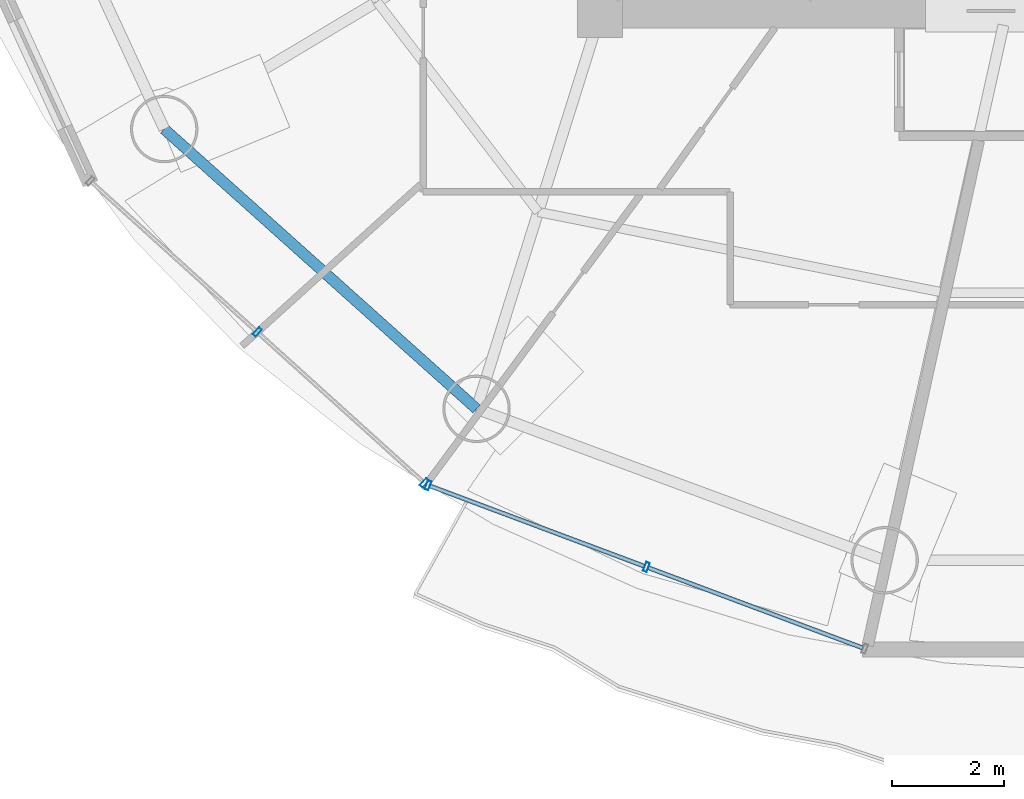
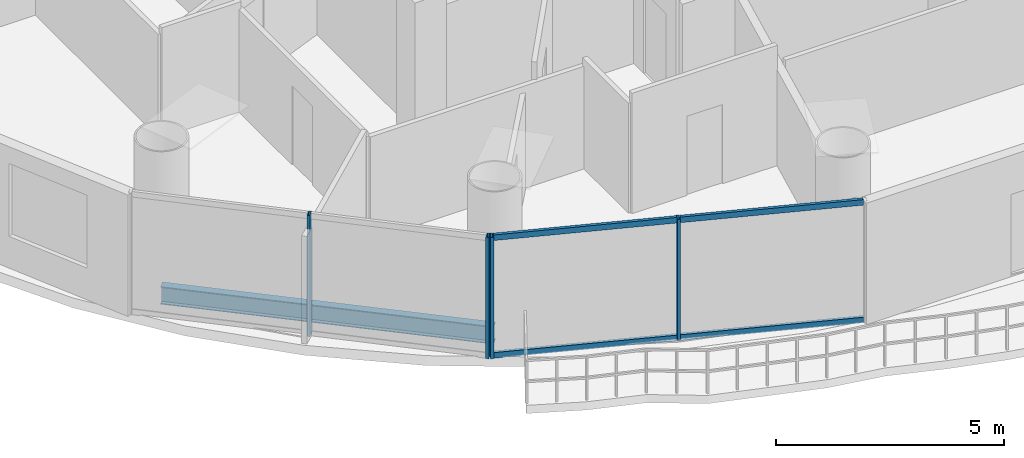
# One storey, part 2 of 26: 8 members, 1 beam, 2 elements without a shape of their own.
"""IFC4 building model written with IfcOpenShell, lengths in metres."""

from ifc_helpers import new_model, si_unit, direction, frame, origin, origin_2d, place, context, subcontext, project, spatial, hollow_rectangle, i_section, extrude, source, transform, mapped, material, material_profile, profile_set, type_object, element, aggregate, save


model = new_model("IFC4")

# Units and contexts
model_context = context("Model", 3, precision=1e-05, world=origin(), true_north=direction((-0.2419218956, 0.970295726276)))
body_context = subcontext(model_context, "Body", "Model", "MODEL_VIEW")
ifc_project = project(units=[si_unit("LENGTHUNIT", "METRE"), si_unit("AREAUNIT", "SQUARE_METRE"), si_unit("VOLUMEUNIT", "CUBIC_METRE"), si_unit("PLANEANGLEUNIT", "RADIAN"), si_unit("MASSUNIT", "GRAM", prefix="KILO")], contexts=[model_context])

# Site, building, storey
site_placement = place(None, origin())
site = spatial("IfcSite", under=ifc_project, at=site_placement, CompositionType="ELEMENT")
building_placement = place(site_placement, origin())
building = spatial("IfcBuilding", under=site, at=building_placement, Name="Cobrevalo Terracotta Tower", CompositionType="ELEMENT")
storey_placement = place(building_placement, frame((0.0, 0.0, 239.300048828125)))
storey = spatial("IfcBuildingStorey", under=building, at=storey_placement, Name="L63", CompositionType="ELEMENT", Elevation=239.300048828125)

# Beam
ifc_material_1 = material(Name="Steel S355", Category="steel")
ifc_material_profile_1 = material_profile(ifc_material_1, i_section(OverallWidth=0.194091796875, OverallDepth=0.468994140625, WebThickness=0.011474609375, FlangeThickness=0.0205078125, at=origin_2d()), Name="W 460x106")
ifc_profile_set_1 = profile_set([ifc_material_profile_1], Name="Steel S355")
beam_type = type_object("IfcBeamType", Name="Structural Spandrel W 460x106 (Steel S355)", PredefinedType="SPANDREL", material=ifc_profile_set_1)
beam_placement = place(storey_placement, frame((21.245849609375, 16.77197265625, -0.49951171875), z_axis=(0.744851930997, -0.667229796165, 0.0), x_axis=(0.667229796165, 0.744851930997, 0.0)))
element("IfcBeam", 1, at=beam_placement, inside=storey, type_object=beam_type, Name="L63 perimeter ring spandrel 10", PredefinedType="SPANDREL", context=body_context, shape_type="SweptSolid", body=[
    extrude(i_section(OverallWidth=0.194091796875, OverallDepth=0.468994140625, WebThickness=0.011474609375, FlangeThickness=0.0205078125, at=origin_2d()), origin(), (0.0, 0.0, 1.0), 7.463623046875),
])

# Curtain wall, members
ifc_material_2 = material(Name="Anodized aluminium", Category="aluminium")
curtain_wall_type = type_object("IfcCurtainWallType", Name="Mid-tower high-wind unitised curtain wall CW-U2", PredefinedType="NOTDEFINED", material=ifc_material_2)
curtain_wall_1_placement = place(storey_placement, origin())
curtain_wall_1 = element("IfcCurtainWall", 2, at=curtain_wall_1_placement, inside=storey, type_object=curtain_wall_type, Name="L63 curtain wall CW-L63-S11", PredefinedType="NOTDEFINED")
ifc_material_profile_2 = material_profile(ifc_material_2, hollow_rectangle(XDim=0.074951171875, YDim=0.14990234375, WallThickness=0.00439453125, at=origin_2d()), Name="CWT 75x150")
ifc_profile_set_2 = profile_set([ifc_material_profile_2], Name="Anodized aluminium")
member_type_1 = type_object("IfcMemberType", Name="Tower unitised aluminium transom 75x150", PredefinedType="USERDEFINED", material=ifc_profile_set_2)
shared_shape_1 = source(origin(), body_context, "Body", "SweptSolid", [
    extrude(hollow_rectangle(XDim=0.074951171875, YDim=0.14990234375, WallThickness=0.00439453125, at=origin_2d()), origin(), (0.0, 0.0, 1.0), 4.069580078125),
])
member_1_placement = place(storey_placement, frame((25.980224609375, 10.4169921875, 0.050048828125), z_axis=(0.936548420649, -0.350538237259, 0.0), x_axis=(0.350538237259, 0.936548420649, 0.0)))
member_1 = element("IfcMember", 3, at=member_1_placement, type_object=member_type_1, Name="CW-L63-S11 transom B01-T1", ObjectType="TRANSOM", PredefinedType="USERDEFINED", context=body_context, shape_type="MappedRepresentation", body=[
    mapped(shared_shape_1, transform((0.0, 0.0, 0.0), scale=1.0)),
])
member_2_placement = place(storey_placement, frame((25.980224609375, 10.4169921875, 3.199951171875), z_axis=(0.936548420649, -0.350538237259, 0.0), x_axis=(0.350538237259, 0.936548420649, 0.0)))
member_2 = element("IfcMember", 4, at=member_2_placement, type_object=member_type_1, Name="CW-L63-S11 transom B01-T2", ObjectType="TRANSOM", PredefinedType="USERDEFINED", context=body_context, shape_type="MappedRepresentation", body=[
    mapped(shared_shape_1, transform((0.0, 0.0, 0.0), scale=1.0)),
])
shared_shape_2 = source(origin(), body_context, "Body", "SweptSolid", [
    extrude(hollow_rectangle(XDim=0.074951171875, YDim=0.14990234375, WallThickness=0.00439453125, at=origin_2d()), origin(), (0.0, 0.0, 1.0), 4.06982421875),
])
member_3_placement = place(storey_placement, frame((29.866455078125, 8.96240234375, 0.050048828125), z_axis=(0.936555791772, -0.350518542873, 0.0), x_axis=(0.350518542873, 0.936555791772, 0.0)))
member_3 = element("IfcMember", 5, at=member_3_placement, type_object=member_type_1, Name="CW-L63-S11 transom B02-T1", ObjectType="TRANSOM", PredefinedType="USERDEFINED", context=body_context, shape_type="MappedRepresentation", body=[
    mapped(shared_shape_2, transform((0.0, 0.0, 0.0), scale=1.0)),
])
member_4_placement = place(storey_placement, frame((29.866455078125, 8.96240234375, 3.199951171875), z_axis=(0.936555791772, -0.350518542873, 0.0), x_axis=(0.350518542873, 0.936555791772, 0.0)))
member_4 = element("IfcMember", 6, at=member_4_placement, type_object=member_type_1, Name="CW-L63-S11 transom B02-T2", ObjectType="TRANSOM", PredefinedType="USERDEFINED", context=body_context, shape_type="MappedRepresentation", body=[
    mapped(shared_shape_2, transform((0.0, 0.0, 0.0), scale=1.0)),
])

curtain_wall_2_placement = place(storey_placement, origin())
curtain_wall_2 = element("IfcCurtainWall", 7, at=curtain_wall_2_placement, inside=storey, type_object=curtain_wall_type, Name="L63 curtain wall CW-L63-S10", PredefinedType="NOTDEFINED")
ifc_material_profile_3 = material_profile(ifc_material_2, hollow_rectangle(XDim=0.070068359375, YDim=0.169921875, WallThickness=0.00439453125, at=origin_2d()), Name="CWM 70x170")
ifc_profile_set_3 = profile_set([ifc_material_profile_3], Name="Anodized aluminium")
member_type_2 = type_object("IfcMemberType", Name="Upper tower unitised mullion 70x170", PredefinedType="MULLION", material=ifc_profile_set_3)
shared_shape_3 = source(origin(), body_context, "Body", "SweptSolid", [
    extrude(hollow_rectangle(XDim=0.070068359375, YDim=0.169921875, WallThickness=0.00439453125, at=origin_2d()), origin(), (0.0, 0.0, 1.0), 3.25),
])
member_5_placement = place(storey_placement, frame((22.902099609375, 13.158447265625, 0.0), z_axis=(0.0, 0.0, 1.0), x_axis=(0.741987542015, -0.670413668935, 0.0)))
member_5 = element("IfcMember", 8, at=member_5_placement, type_object=member_type_2, Name="CW-L63-S10 vertical mullion 02", PredefinedType="MULLION", context=body_context, shape_type="MappedRepresentation", body=[
    mapped(shared_shape_3, transform((0.0, 0.0, 0.0), scale=1.0)),
])
member_6_placement = place(storey_placement, frame((25.87548828125, 10.471923828125, 0.0), z_axis=(0.0, 0.0, 1.0), x_axis=(0.741987542015, -0.670413668935, 0.0)))
member_6 = element("IfcMember", 9, at=member_6_placement, type_object=member_type_2, Name="CW-L63-S10 vertical mullion 03", PredefinedType="MULLION", context=body_context, shape_type="MappedRepresentation", body=[
    mapped(shared_shape_3, transform((0.0, 0.0, 0.0), scale=1.0)),
])
aggregate(curtain_wall_2, [member_5, member_6])

# Member
member_7_placement = place(storey_placement, frame((25.942626953125, 10.430908203125, 0.0), z_axis=(0.0, 0.0, 1.0), x_axis=(0.936556004584, -0.350517974259, 0.0)))
member_7 = element("IfcMember", 10, at=member_7_placement, type_object=member_type_2, Name="CW-L63-S11 vertical mullion 01", PredefinedType="MULLION", context=body_context, shape_type="MappedRepresentation", body=[
    mapped(shared_shape_3, transform((0.0, 0.0, 0.0), scale=1.0)),
])

member_8_placement = place(storey_placement, frame((29.8291015625, 8.9765625, 0.0), z_axis=(0.0, 0.0, 1.0), x_axis=(0.936556004584, -0.350517974259, 0.0)))
member_8 = element("IfcMember", 11, at=member_8_placement, type_object=member_type_2, Name="CW-L63-S11 vertical mullion 02", PredefinedType="MULLION", context=body_context, shape_type="MappedRepresentation", body=[
    mapped(shared_shape_3, transform((0.0, 0.0, 0.0), scale=1.0)),
])

aggregate(curtain_wall_1, [member_7, member_8, member_1, member_2, member_3, member_4])

save(model, "model.ifc")
